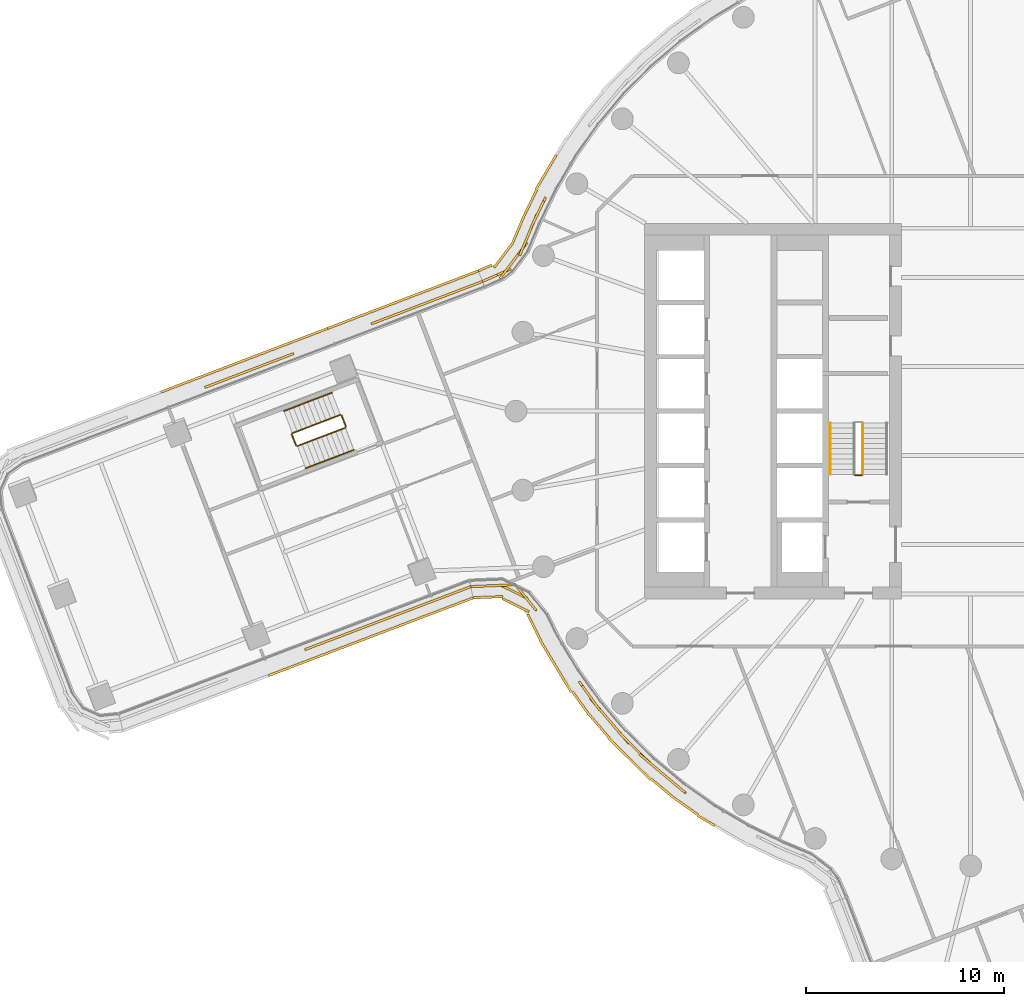
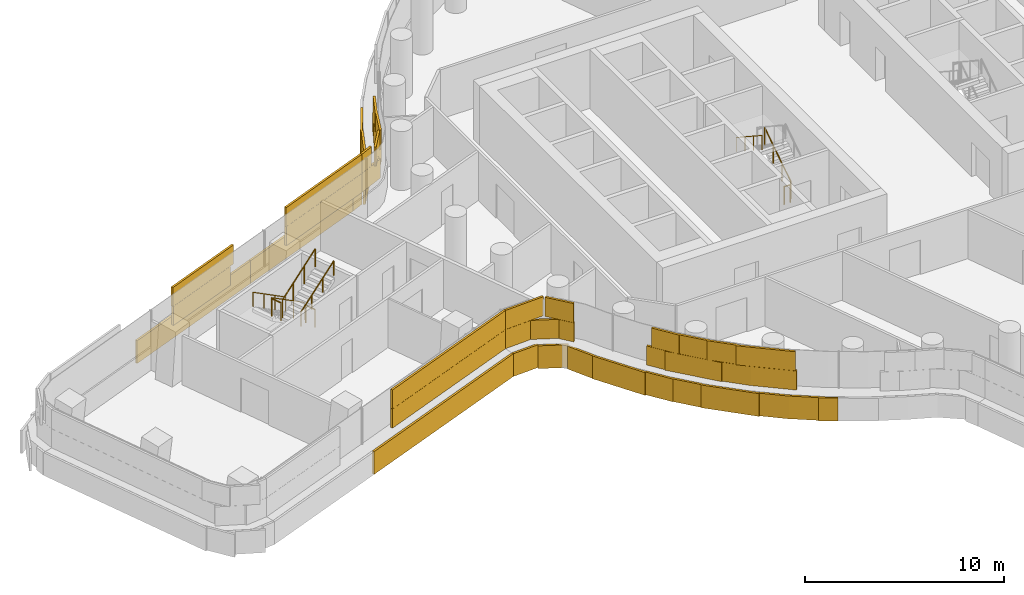
# One storey, part 28 of 32: 9 railings, 5 coverings.
"""IFC4 building model written with IfcOpenShell, lengths in metres."""

from ifc_helpers import new_model, si_unit, direction, frame, origin, origin_2d, place, context, subcontext, project, spatial, rectangle, circle, extrude, material, layer, layer_set, type_object, element, save


model = new_model("IFC4")

# Units and contexts
model_context = context("Model", 3, precision=1e-05, world=origin(), true_north=direction((0.0, 1.0)))
body_context = subcontext(model_context, "Body", "Model", "MODEL_VIEW")
ifc_project = project(units=[si_unit("LENGTHUNIT", "METRE"), si_unit("AREAUNIT", "SQUARE_METRE"), si_unit("VOLUMEUNIT", "CUBIC_METRE"), si_unit("PLANEANGLEUNIT", "RADIAN"), si_unit("MASSUNIT", "GRAM", prefix="KILO")], contexts=[model_context])

# Site, building, storey
site_placement = place(None, origin())
site = spatial("IfcSite", under=ifc_project, at=site_placement, CompositionType="ELEMENT")
building_placement = place(site_placement, origin())
building = spatial("IfcBuilding", under=site, at=building_placement, Name="Tamarind Cross Interchange Tower", CompositionType="ELEMENT")
storey_placement = place(building_placement, frame((0.0, 0.0, 109.75)))
storey = spatial("IfcBuildingStorey", under=building, at=storey_placement, Name="L26", CompositionType="ELEMENT", Elevation=109.75)

# Railings
ifc_material_1 = material(Name="Stair guard")
railing_type_1 = type_object("IfcRailingType", Name="Stair guard", PredefinedType="GUARDRAIL", material=ifc_material_1)
railing_1_placement = place(storey_placement, frame((-5.449951171875, -3.199951171875, 0.17041015625)))
element("IfcRailing", 1, at=railing_1_placement, inside=storey, type_object=railing_type_1, Name="L26 ST1 stair guard 1", PredefinedType="GUARDRAIL", context=body_context, shape_type="SweptSolid", body=[
    extrude(circle(Radius=0.02392578125, at=origin_2d()), frame((0.0, 0.0, 1.076171875), z_axis=(0.0, 0.836278606002, 0.548304744775), x_axis=(-1.0, 0.0, 0.0)), (0.0, 0.0, 1.0), 3.10888671875),
    extrude(circle(Radius=0.02099609375, at=origin_2d()), origin(), (0.0, 0.0, 1.0), 1.052001953125),
    extrude(circle(Radius=0.02099609375, at=origin_2d()), frame((0.0, 0.86669921875, 0.568115234375)), (0.0, 0.0, 1.0), 1.052001953125),
    extrude(circle(Radius=0.02099609375, at=origin_2d()), frame((0.0, 1.733154296875, 1.136474609375)), (0.0, 0.0, 1.0), 1.052001953125),
    extrude(circle(Radius=0.02099609375, at=origin_2d()), frame((0.0, 2.599853515625, 1.70458984375)), (0.0, 0.0, 1.0), 1.052001953125),
])
railing_2_placement = place(storey_placement, frame((-5.5, -3.25, 0.0)))
element("IfcRailing", 2, at=railing_2_placement, inside=storey, type_object=railing_type_1, Name="L26 ST1 stair guard 4", PredefinedType="GUARDRAIL", context=body_context, shape_type="SweptSolid", body=[
    extrude(circle(Radius=0.02392578125, at=origin_2d()), frame((0.0, 0.0, 1.076171875), z_axis=(-1.0, 0.0, 0.0), x_axis=(0.0, -1.0, 0.0)), (0.0, 0.0, 1.0), 0.35009765625),
    extrude(circle(Radius=0.02099609375, at=origin_2d()), origin(), (0.0, 0.0, 1.0), 1.052001953125),
    extrude(circle(Radius=0.02099609375, at=origin_2d()), frame((-0.35009765625, 0.0, 0.0)), (0.0, 0.0, 1.0), 1.052001953125),
])
railing_3_placement = place(storey_placement, frame((-31.88330078125, -0.1875, 0.17041015625)))
element("IfcRailing", 3, at=railing_3_placement, inside=storey, type_object=railing_type_1, Name="L26 ST5 stair guard 1", PredefinedType="GUARDRAIL", context=body_context, shape_type="SweptSolid", body=[
    extrude(circle(Radius=0.02392578125, at=origin_2d()), frame((0.0, 0.0, 1.076171875), z_axis=(-0.781291829036, -0.298255740947, 0.548294255737), x_axis=(0.356643451308, -0.934240573214, 0.0)), (0.0, 0.0, 1.0), 3.10888671875),
    extrude(circle(Radius=0.02099609375, at=origin_2d()), origin(), (0.0, 0.0, 1.0), 1.052001953125),
    extrude(circle(Radius=0.02099609375, at=origin_2d()), frame((-0.8095703125, -0.30908203125, 0.568115234375)), (0.0, 0.0, 1.0), 1.052001953125),
    extrude(circle(Radius=0.02099609375, at=origin_2d()), frame((-1.619384765625, -0.6181640625, 1.136474609375)), (0.0, 0.0, 1.0), 1.052001953125),
    extrude(circle(Radius=0.02099609375, at=origin_2d()), frame((-2.428955078125, -0.92724609375, 1.70458984375)), (0.0, 0.0, 1.0), 1.052001953125),
])
railing_4_placement = place(storey_placement, frame((-34.341064453125, -1.17919921875, 1.875)))
element("IfcRailing", 4, at=railing_4_placement, inside=storey, type_object=railing_type_1, Name="L26 ST5 stair guard 2", PredefinedType="GUARDRAIL", context=body_context, shape_type="SweptSolid", body=[
    extrude(circle(Radius=0.02392578125, at=origin_2d()), frame((0.0, 0.0, 1.076171875), z_axis=(0.356824233719, -0.934171540045, 0.0), x_axis=(0.934171540045, 0.356824233719, 0.0)), (0.0, 0.0, 1.0), 0.60009765625),
    extrude(circle(Radius=0.02099609375, at=origin_2d()), origin(), (0.0, 0.0, 1.0), 1.052001953125),
    extrude(circle(Radius=0.02099609375, at=origin_2d()), frame((0.214111328125, -0.560546875, 0.0)), (0.0, 0.0, 1.0), 1.052001953125),
])
railing_5_placement = place(storey_placement, frame((-34.0625, -1.768798828125, 2.04541015625)))
element("IfcRailing", 5, at=railing_5_placement, inside=storey, type_object=railing_type_1, Name="L26 ST5 stair guard 3", PredefinedType="GUARDRAIL", context=body_context, shape_type="SweptSolid", body=[
    extrude(circle(Radius=0.02392578125, at=origin_2d()), frame((0.0, 0.0, 1.076171875), z_axis=(0.781273527908, 0.298327282392, 0.548281412388), x_axis=(-0.356725406208, 0.934209283065, 0.0)), (0.0, 0.0, 1.0), 3.10888671875),
    extrude(circle(Radius=0.02099609375, at=origin_2d()), origin(), (0.0, 0.0, 1.0), 1.052001953125),
    extrude(circle(Radius=0.02099609375, at=origin_2d()), frame((0.8095703125, 0.30908203125, 0.568115234375)), (0.0, 0.0, 1.0), 1.052001953125),
    extrude(circle(Radius=0.02099609375, at=origin_2d()), frame((1.619384765625, 0.618408203125, 1.136474609375)), (0.0, 0.0, 1.0), 1.052001953125),
    extrude(circle(Radius=0.02099609375, at=origin_2d()), frame((2.428955078125, 0.927490234375, 1.70458984375)), (0.0, 0.0, 1.0), 1.052001953125),
])
railing_6_placement = place(storey_placement, frame((-31.818603515625, -0.21630859375, 0.0)))
element("IfcRailing", 6, at=railing_6_placement, inside=storey, type_object=railing_type_1, Name="L26 ST5 stair guard 4", PredefinedType="GUARDRAIL", context=body_context, shape_type="SweptSolid", body=[
    extrude(circle(Radius=0.02392578125, at=origin_2d()), frame((0.0, 0.0, 1.076171875), z_axis=(0.356469091286, -0.934307115973, 0.0), x_axis=(0.934307115973, 0.356469091286, 0.0)), (0.0, 0.0, 1.0), 0.599853515625),
    extrude(circle(Radius=0.02099609375, at=origin_2d()), origin(), (0.0, 0.0, 1.0), 1.052001953125),
    extrude(circle(Radius=0.02099609375, at=origin_2d()), frame((0.2138671875, -0.560546875, 0.0)), (0.0, 0.0, 1.0), 1.052001953125),
])
ifc_material_2 = material(Name="Stair handrail")
railing_type_2 = type_object("IfcRailingType", Name="Stair handrail", PredefinedType="HANDRAIL", material=ifc_material_2)
railing_7_placement = place(storey_placement, frame((-7.10009765625, -0.60009765625, 2.04541015625)))
element("IfcRailing", 7, at=railing_7_placement, inside=storey, type_object=railing_type_2, Name="L26 ST1 stair handrail 2", PredefinedType="HANDRAIL", context=body_context, shape_type="SweptSolid", body=[
    extrude(circle(Radius=0.02392578125, at=origin_2d()), frame((0.0, 0.0, 0.8759765625), z_axis=(0.0, -0.836278606002, 0.548304744775), x_axis=(1.0, 0.0, 0.0)), (0.0, 0.0, 1.0), 3.10888671875),
    extrude(circle(Radius=0.02099609375, at=origin_2d()), origin(), (0.0, 0.0, 1.0), 0.851806640625),
    extrude(circle(Radius=0.02099609375, at=origin_2d()), frame((0.0, -0.86669921875, 0.568115234375)), (0.0, 0.0, 1.0), 0.851806640625),
    extrude(circle(Radius=0.02099609375, at=origin_2d()), frame((0.0, -1.733154296875, 1.136474609375)), (0.0, 0.0, 1.0), 0.851806640625),
    extrude(circle(Radius=0.02099609375, at=origin_2d()), frame((0.0, -2.599853515625, 1.70458984375)), (0.0, 0.0, 1.0), 0.851806640625),
])
railing_8_placement = place(storey_placement, frame((-32.311279296875, 0.93359375, 0.17041015625)))
element("IfcRailing", 8, at=railing_8_placement, inside=storey, type_object=railing_type_2, Name="L26 ST5 stair handrail 1", PredefinedType="HANDRAIL", context=body_context, shape_type="SweptSolid", body=[
    extrude(circle(Radius=0.02392578125, at=origin_2d()), frame((0.0, 0.0, 0.8759765625), z_axis=(-0.781291829036, -0.298255740947, 0.548294255737), x_axis=(0.356643451308, -0.934240573214, 0.0)), (0.0, 0.0, 1.0), 3.10888671875),
    extrude(circle(Radius=0.02099609375, at=origin_2d()), origin(), (0.0, 0.0, 1.0), 0.851806640625),
    extrude(circle(Radius=0.02099609375, at=origin_2d()), frame((-0.8095703125, -0.30908203125, 0.568115234375)), (0.0, 0.0, 1.0), 0.851806640625),
    extrude(circle(Radius=0.02099609375, at=origin_2d()), frame((-1.619384765625, -0.6181640625, 1.136474609375)), (0.0, 0.0, 1.0), 0.851806640625),
    extrude(circle(Radius=0.02099609375, at=origin_2d()), frame((-2.428955078125, -0.92724609375, 1.70458984375)), (0.0, 0.0, 1.0), 0.851806640625),
])
railing_9_placement = place(storey_placement, frame((-33.634521484375, -2.889892578125, 2.04541015625)))
element("IfcRailing", 9, at=railing_9_placement, inside=storey, type_object=railing_type_2, Name="L26 ST5 stair handrail 2", PredefinedType="HANDRAIL", context=body_context, shape_type="SweptSolid", body=[
    extrude(circle(Radius=0.02392578125, at=origin_2d()), frame((0.0, 0.0, 0.8759765625), z_axis=(0.781273527908, 0.298327282392, 0.548281412388), x_axis=(-0.356725406208, 0.934209283065, 0.0)), (0.0, 0.0, 1.0), 3.10888671875),
    extrude(circle(Radius=0.02099609375, at=origin_2d()), origin(), (0.0, 0.0, 1.0), 0.851806640625),
    extrude(circle(Radius=0.02099609375, at=origin_2d()), frame((0.8095703125, 0.30908203125, 0.568115234375)), (0.0, 0.0, 1.0), 0.851806640625),
    extrude(circle(Radius=0.02099609375, at=origin_2d()), frame((1.619384765625, 0.618408203125, 1.136474609375)), (0.0, 0.0, 1.0), 0.851806640625),
    extrude(circle(Radius=0.02099609375, at=origin_2d()), frame((2.428955078125, 0.927490234375, 1.70458984375)), (0.0, 0.0, 1.0), 0.851806640625),
])

# Coverings
ifc_material_3 = material(Name="Terracotta", Category="masonry")
ifc_layer = layer(ifc_material_3, 0.1201171875)
ifc_layer_set = layer_set([ifc_layer], Name="Terracotta")
covering_type = type_object("IfcCoveringType", Name="Terracotta baguette screen unit", PredefinedType="MOLDING", material=ifc_layer_set)
covering_1_placement = place(storey_placement, origin())
element("IfcCovering", 10, at=covering_1_placement, inside=storey, type_object=covering_type, Name="SCR-L26-01-01", PredefinedType="MOLDING", context=body_context, shape_type="SweptSolid", body=[
    extrude(rectangle(XDim=0.519287109375, YDim=0.1201171875, at=origin_2d()), frame((-33.43994140625, -11.97412109375, 1.404052734375), z_axis=(0.0, 0.0, 1.0), x_axis=(0.934795735228, 0.355185773082, 0.0)), (0.0, 0.0, 1.0), 1.1669921875),
    extrude(rectangle(XDim=1.52001953125, YDim=0.1201171875, at=origin_2d()), frame((-32.500732421875, -11.617431640625, 1.404052734375), z_axis=(0.0, 0.0, 1.0), x_axis=(0.934795735228, 0.355185773082, 0.0)), (0.0, 0.0, 1.0), 1.1669921875),
    extrude(rectangle(XDim=1.52001953125, YDim=0.1201171875, at=origin_2d()), frame((-31.0986328125, -11.08447265625, 1.404052734375), z_axis=(0.0, 0.0, 1.0), x_axis=(0.934795735228, 0.355185773082, 0.0)), (0.0, 0.0, 1.0), 1.1669921875),
    extrude(rectangle(XDim=1.52001953125, YDim=0.1201171875, at=origin_2d()), frame((-29.696533203125, -10.5517578125, 1.404052734375), z_axis=(0.0, 0.0, 1.0), x_axis=(0.934795735228, 0.355185773082, 0.0)), (0.0, 0.0, 1.0), 1.1669921875),
    extrude(rectangle(XDim=1.52001953125, YDim=0.1201171875, at=origin_2d()), frame((-28.294189453125, -10.01904296875, 1.404052734375), z_axis=(0.0, 0.0, 1.0), x_axis=(0.934795735228, 0.355185773082, 0.0)), (0.0, 0.0, 1.0), 1.1669921875),
    extrude(rectangle(XDim=1.52001953125, YDim=0.1201171875, at=origin_2d()), frame((-26.89208984375, -9.486083984375, 1.404052734375), z_axis=(0.0, 0.0, 1.0), x_axis=(0.934795735228, 0.355185773082, 0.0)), (0.0, 0.0, 1.0), 1.1669921875),
    extrude(rectangle(XDim=0.97705078125, YDim=0.1201171875, at=origin_2d()), frame((-25.739013671875, -9.048095703125, 1.404052734375), z_axis=(0.0, 0.0, 1.0), x_axis=(0.934795735228, 0.355185773082, 0.0)), (0.0, 0.0, 1.0), 1.1669921875),
    extrude(rectangle(XDim=1.269287109375, YDim=0.1201171875, at=origin_2d()), frame((-33.08935546875, -11.841064453125, 2.5791015625), z_axis=(0.0, 0.0, 1.0), x_axis=(0.934795735228, 0.355185773082, 0.0)), (0.0, 0.0, 1.0), 1.1669921875),
    extrude(rectangle(XDim=1.52001953125, YDim=0.1201171875, at=origin_2d()), frame((-31.7998046875, -11.350830078125, 2.5791015625), z_axis=(0.0, 0.0, 1.0), x_axis=(0.934795735228, 0.355185773082, 0.0)), (0.0, 0.0, 1.0), 1.1669921875),
    extrude(rectangle(XDim=1.52001953125, YDim=0.1201171875, at=origin_2d()), frame((-30.3974609375, -10.818115234375, 2.5791015625), z_axis=(0.0, 0.0, 1.0), x_axis=(0.934795735228, 0.355185773082, 0.0)), (0.0, 0.0, 1.0), 1.1669921875),
    extrude(rectangle(XDim=1.52001953125, YDim=0.1201171875, at=origin_2d()), frame((-28.995361328125, -10.285400390625, 2.5791015625), z_axis=(0.0, 0.0, 1.0), x_axis=(0.934795735228, 0.355185773082, 0.0)), (0.0, 0.0, 1.0), 1.1669921875),
    extrude(rectangle(XDim=1.52001953125, YDim=0.1201171875, at=origin_2d()), frame((-27.59326171875, -9.752685546875, 2.5791015625), z_axis=(0.0, 0.0, 1.0), x_axis=(0.934795735228, 0.355185773082, 0.0)), (0.0, 0.0, 1.0), 1.1669921875),
    extrude(rectangle(XDim=1.52001953125, YDim=0.1201171875, at=origin_2d()), frame((-26.19091796875, -9.2197265625, 2.5791015625), z_axis=(0.0, 0.0, 1.0), x_axis=(0.934795735228, 0.355185773082, 0.0)), (0.0, 0.0, 1.0), 1.1669921875),
    extrude(rectangle(XDim=0.22705078125, YDim=0.1201171875, at=origin_2d()), frame((-25.388427734375, -8.914794921875, 2.5791015625), z_axis=(0.0, 0.0, 1.0), x_axis=(0.934795735228, 0.355185773082, 0.0)), (0.0, 0.0, 1.0), 1.1669921875),
    extrude(rectangle(XDim=1.126708984375, YDim=0.1201171875, at=origin_2d()), frame((-34.98779296875, -13.17626953125, 0.00390625), z_axis=(0.0, 0.0, 1.0), x_axis=(0.934795735228, 0.355185773082, 0.0)), (0.0, 0.0, 1.0), 1.39208984375),
    extrude(rectangle(XDim=1.52001953125, YDim=0.1201171875, at=origin_2d()), frame((-33.769287109375, -12.71337890625, 0.00390625), z_axis=(0.0, 0.0, 1.0), x_axis=(0.934795735228, 0.355185773082, 0.0)), (0.0, 0.0, 1.0), 1.39208984375),
    extrude(rectangle(XDim=1.52001953125, YDim=0.1201171875, at=origin_2d()), frame((-32.3671875, -12.1806640625, 0.00390625), z_axis=(0.0, 0.0, 1.0), x_axis=(0.934795735228, 0.355185773082, 0.0)), (0.0, 0.0, 1.0), 1.39208984375),
    extrude(rectangle(XDim=1.52001953125, YDim=0.1201171875, at=origin_2d()), frame((-30.96484375, -11.647705078125, 0.00390625), z_axis=(0.0, 0.0, 1.0), x_axis=(0.934795735228, 0.355185773082, 0.0)), (0.0, 0.0, 1.0), 1.39208984375),
    extrude(rectangle(XDim=1.52001953125, YDim=0.1201171875, at=origin_2d()), frame((-29.562744140625, -11.114990234375, 0.00390625), z_axis=(0.0, 0.0, 1.0), x_axis=(0.934795735228, 0.355185773082, 0.0)), (0.0, 0.0, 1.0), 1.39208984375),
    extrude(rectangle(XDim=1.52001953125, YDim=0.1201171875, at=origin_2d()), frame((-28.16064453125, -10.582275390625, 0.00390625), z_axis=(0.0, 0.0, 1.0), x_axis=(0.934795735228, 0.355185773082, 0.0)), (0.0, 0.0, 1.0), 1.39208984375),
    extrude(rectangle(XDim=1.52001953125, YDim=0.1201171875, at=origin_2d()), frame((-26.75830078125, -10.049560546875, 0.00390625), z_axis=(0.0, 0.0, 1.0), x_axis=(0.934795735228, 0.355185773082, 0.0)), (0.0, 0.0, 1.0), 1.39208984375),
    extrude(rectangle(XDim=0.95947265625, YDim=0.1201171875, at=origin_2d()), frame((-25.6181640625, -9.6162109375, 0.00390625), z_axis=(0.0, 0.0, 1.0), x_axis=(0.934795735228, 0.355185773082, 0.0)), (0.0, 0.0, 1.0), 1.39208984375),
])
covering_2_placement = place(storey_placement, origin())
element("IfcCovering", 11, at=covering_2_placement, inside=storey, type_object=covering_type, Name="SCR-L26-02-00", PredefinedType="MOLDING", context=body_context, shape_type="SweptSolid", body=[
    extrude(rectangle(XDim=1.510009765625, YDim=0.1201171875, at=origin_2d()), frame((-24.53759765625, -8.84423828125, 1.404052734375), z_axis=(0.0, 0.0, 1.0), x_axis=(0.99908676229, 0.042727525273, 0.0)), (0.0, 0.0, 1.0), 1.1669921875),
    extrude(rectangle(XDim=1.52001953125, YDim=0.1201171875, at=origin_2d()), frame((-23.112548828125, -9.130126953125, 1.404052734375), z_axis=(0.0, 0.0, 1.0), x_axis=(0.89722743465, -0.441568715504, 0.0)), (0.0, 0.0, 1.0), 1.1669921875),
    extrude(rectangle(XDim=0.787109375, YDim=0.1201171875, at=origin_2d()), frame((-22.215576171875, -9.78857421875, 1.404052734375), z_axis=(0.0, 0.0, 1.0), x_axis=(0.62796858047, -0.778238692139, 0.0)), (0.0, 0.0, 1.0), 1.1669921875),
    extrude(rectangle(XDim=1.032958984375, YDim=0.1201171875, at=origin_2d()), frame((-19.50732421875, -14.093017578125, 1.404052734375), z_axis=(0.0, 0.0, 1.0), x_axis=(0.584573890505, -0.811340475102, 0.0)), (0.0, 0.0, 1.0), 1.1669921875),
    extrude(rectangle(XDim=1.52001953125, YDim=0.1201171875, at=origin_2d()), frame((-18.75048828125, -15.101318359375, 1.404052734375), z_axis=(0.0, 0.0, 1.0), x_axis=(0.64957723968, -0.760295606781, 0.0)), (0.0, 0.0, 1.0), 1.1669921875),
    extrude(rectangle(XDim=1.52001953125, YDim=0.1201171875, at=origin_2d()), frame((-17.776123046875, -16.24169921875, 1.404052734375), z_axis=(0.0, 0.0, 1.0), x_axis=(0.64957723968, -0.760295606781, 0.0)), (0.0, 0.0, 1.0), 1.1669921875),
    extrude(rectangle(XDim=1.52001953125, YDim=0.1201171875, at=origin_2d()), frame((-16.72265625, -17.308837890625, 1.404052734375), z_axis=(0.0, 0.0, 1.0), x_axis=(0.710143317658, -0.704057148523, 0.0)), (0.0, 0.0, 1.0), 1.1669921875),
    extrude(rectangle(XDim=1.52001953125, YDim=0.1201171875, at=origin_2d()), frame((-15.612060546875, -18.31494140625, 1.404052734375), z_axis=(0.0, 0.0, 1.0), x_axis=(0.765858396687, -0.643009266048, 0.0)), (0.0, 0.0, 1.0), 1.1669921875),
    extrude(rectangle(XDim=0.8310546875, YDim=0.1201171875, at=origin_2d()), frame((-14.723388671875, -19.061279296875, 1.404052734375), z_axis=(0.0, 0.0, 1.0), x_axis=(0.765858396687, -0.643009266048, 0.0)), (0.0, 0.0, 1.0), 1.1669921875),
    extrude(rectangle(XDim=0.760009765625, YDim=0.1201171875, at=origin_2d()), frame((-24.912353515625, -8.8603515625, 2.5791015625), z_axis=(0.0, 0.0, 1.0), x_axis=(0.99908676229, 0.042727525273, 0.0)), (0.0, 0.0, 1.0), 1.1669921875),
    extrude(rectangle(XDim=1.52001953125, YDim=0.1201171875, at=origin_2d()), frame((-23.788330078125, -8.812255859375, 2.5791015625), z_axis=(0.0, 0.0, 1.0), x_axis=(0.99908676229, 0.042727525273, 0.0)), (0.0, 0.0, 1.0), 1.1669921875),
    extrude(rectangle(XDim=1.52001953125, YDim=0.1201171875, at=origin_2d()), frame((-22.459716796875, -9.486083984375, 2.5791015625), z_axis=(0.0, 0.0, 1.0), x_axis=(0.62796858047, -0.778238692139, 0.0)), (0.0, 0.0, 1.0), 1.1669921875),
    extrude(rectangle(XDim=1.52001953125, YDim=0.1201171875, at=origin_2d()), frame((-19.208251953125, -14.508056640625, 2.5791015625), z_axis=(0.0, 0.0, 1.0), x_axis=(0.584573890505, -0.811340475102, 0.0)), (0.0, 0.0, 1.0), 1.1669921875),
    extrude(rectangle(XDim=1.52001953125, YDim=0.1201171875, at=origin_2d()), frame((-18.263427734375, -15.671630859375, 2.5791015625), z_axis=(0.0, 0.0, 1.0), x_axis=(0.64957723968, -0.760295606781, 0.0)), (0.0, 0.0, 1.0), 1.1669921875),
    extrude(rectangle(XDim=1.52001953125, YDim=0.1201171875, at=origin_2d()), frame((-17.25537109375, -16.78076171875, 2.5791015625), z_axis=(0.0, 0.0, 1.0), x_axis=(0.710143317658, -0.704057148523, 0.0)), (0.0, 0.0, 1.0), 1.1669921875),
    extrude(rectangle(XDim=1.52001953125, YDim=0.1201171875, at=origin_2d()), frame((-16.1865234375, -17.832763671875, 2.5791015625), z_axis=(0.0, 0.0, 1.0), x_axis=(0.765858396687, -0.643009266048, 0.0)), (0.0, 0.0, 1.0), 1.1669921875),
    extrude(rectangle(XDim=1.52001953125, YDim=0.1201171875, at=origin_2d()), frame((-15.03759765625, -18.79736328125, 2.5791015625), z_axis=(0.0, 0.0, 1.0), x_axis=(0.765858396687, -0.643009266048, 0.0)), (0.0, 0.0, 1.0), 1.1669921875),
    extrude(rectangle(XDim=1.510009765625, YDim=0.1201171875, at=origin_2d()), frame((-24.415283203125, -9.41357421875, 0.00390625), z_axis=(0.0, 0.0, 1.0), x_axis=(0.99908676229, 0.042727525273, 0.0)), (0.0, 0.0, 1.0), 1.39208984375),
    extrude(rectangle(XDim=1.52001953125, YDim=0.1201171875, at=origin_2d()), frame((-23.019775390625, -9.8154296875, 0.00390625), z_axis=(0.0, 0.0, 1.0), x_axis=(0.89722743465, -0.441568715504, 0.0)), (0.0, 0.0, 1.0), 1.39208984375),
    extrude(rectangle(XDim=1.52001953125, YDim=0.1201171875, at=origin_2d()), frame((-22.07373046875, -10.953369140625, 0.00390625), z_axis=(0.0, 0.0, 1.0), x_axis=(0.445349819005, -0.895356654475, 0.0)), (0.0, 0.0, 1.0), 1.39208984375),
    extrude(rectangle(XDim=1.52001953125, YDim=0.1201171875, at=origin_2d()), frame((-21.369140625, -12.2763671875, 0.00390625), z_axis=(0.0, 0.0, 1.0), x_axis=(0.515577308909, -0.856843065292, 0.0)), (0.0, 0.0, 1.0), 1.39208984375),
    extrude(rectangle(XDim=1.52001953125, YDim=0.1201171875, at=origin_2d()), frame((-20.595703125, -13.561767578125, 0.00390625), z_axis=(0.0, 0.0, 1.0), x_axis=(0.515577308909, -0.856843065292, 0.0)), (0.0, 0.0, 1.0), 1.39208984375),
    extrude(rectangle(XDim=1.52001953125, YDim=0.1201171875, at=origin_2d()), frame((-19.72021484375, -14.779541015625, 0.00390625), z_axis=(0.0, 0.0, 1.0), x_axis=(0.584573890505, -0.811340475102, 0.0)), (0.0, 0.0, 1.0), 1.39208984375),
    extrude(rectangle(XDim=1.52001953125, YDim=0.1201171875, at=origin_2d()), frame((-18.781982421875, -15.9482421875, 0.00390625), z_axis=(0.0, 0.0, 1.0), x_axis=(0.64957723968, -0.760295606781, 0.0)), (0.0, 0.0, 1.0), 1.39208984375),
    extrude(rectangle(XDim=1.52001953125, YDim=0.1201171875, at=origin_2d()), frame((-17.782958984375, -17.06591796875, 0.00390625), z_axis=(0.0, 0.0, 1.0), x_axis=(0.710143317658, -0.704057148523, 0.0)), (0.0, 0.0, 1.0), 1.39208984375),
    extrude(rectangle(XDim=1.52001953125, YDim=0.1201171875, at=origin_2d()), frame((-16.7177734375, -18.1220703125, 0.00390625), z_axis=(0.0, 0.0, 1.0), x_axis=(0.710143317658, -0.704057148523, 0.0)), (0.0, 0.0, 1.0), 1.39208984375),
    extrude(rectangle(XDim=1.52001953125, YDim=0.1201171875, at=origin_2d()), frame((-15.576171875, -19.094482421875, 0.00390625), z_axis=(0.0, 0.0, 1.0), x_axis=(0.765858396687, -0.643009266048, 0.0)), (0.0, 0.0, 1.0), 1.39208984375),
    extrude(rectangle(XDim=1.52001953125, YDim=0.1201171875, at=origin_2d()), frame((-14.385498046875, -20.0048828125, 0.00390625), z_axis=(0.0, 0.0, 1.0), x_axis=(0.816341886298, -0.577568978284, 0.0)), (0.0, 0.0, 1.0), 1.39208984375),
    extrude(rectangle(XDim=0.985595703125, YDim=0.1201171875, at=origin_2d()), frame((-13.378173828125, -20.715087890625, 0.00390625), z_axis=(0.0, 0.0, 1.0), x_axis=(0.861248933065, -0.508183308752, 0.0)), (0.0, 0.0, 1.0), 1.39208984375),
])
covering_3_placement = place(storey_placement, origin())
element("IfcCovering", 12, at=covering_3_placement, inside=storey, type_object=covering_type, Name="SCR-L26-14-01", PredefinedType="MOLDING", context=body_context, shape_type="SweptSolid", body=[
    extrude(rectangle(XDim=0.989013671875, YDim=0.1201171875, at=origin_2d()), frame((-21.712646484375, 10.378662109375, 1.404052734375), z_axis=(0.0, 0.0, 1.0), x_axis=(-0.435326231914, -0.900272776334, 0.0)), (0.0, 0.0, 1.0), 1.1669921875),
    extrude(rectangle(XDim=1.52001953125, YDim=0.1201171875, at=origin_2d()), frame((-22.235107421875, 9.2548828125, 1.404052734375), z_axis=(0.0, 0.0, 1.0), x_axis=(-0.386586658408, -0.92225308649, 0.0)), (0.0, 0.0, 1.0), 1.1669921875),
    extrude(rectangle(XDim=1.52001953125, YDim=0.1201171875, at=origin_2d()), frame((-22.89501953125, 7.917724609375, 1.404052734375), z_axis=(0.0, 0.0, 1.0), x_axis=(-0.601994011813, -0.798500600965, 0.0)), (0.0, 0.0, 1.0), 1.1669921875),
    extrude(rectangle(XDim=1.52001953125, YDim=0.1201171875, at=origin_2d()), frame((-23.95166015625, 6.8876953125, 1.404052734375), z_axis=(0.0, 0.0, 1.0), x_axis=(-0.915016944309, -0.403415408267, 0.0)), (0.0, 0.0, 1.0), 1.1669921875),
    extrude(rectangle(XDim=0.068359375, YDim=0.1201171875, at=origin_2d()), frame((-24.664794921875, 6.573486328125, 1.404052734375), z_axis=(0.0, 0.0, 1.0), x_axis=(-0.915016944309, -0.403415408267, 0.0)), (0.0, 0.0, 1.0), 1.1669921875),
    extrude(rectangle(XDim=1.52001953125, YDim=0.1201171875, at=origin_2d()), frame((-21.92578125, 9.93798828125, 2.5791015625), z_axis=(0.0, 0.0, 1.0), x_axis=(-0.435326231914, -0.900272776334, 0.0)), (0.0, 0.0, 1.0), 1.1669921875),
    extrude(rectangle(XDim=1.52001953125, YDim=0.1201171875, at=origin_2d()), frame((-22.52490234375, 8.563232421875, 2.5791015625), z_axis=(0.0, 0.0, 1.0), x_axis=(-0.386586658408, -0.92225308649, 0.0)), (0.0, 0.0, 1.0), 1.1669921875),
    extrude(rectangle(XDim=1.52001953125, YDim=0.1201171875, at=origin_2d()), frame((-23.346435546875, 7.31884765625, 2.5791015625), z_axis=(0.0, 0.0, 1.0), x_axis=(-0.601994011813, -0.798500600965, 0.0)), (0.0, 0.0, 1.0), 1.1669921875),
    extrude(rectangle(XDim=0.818359375, YDim=0.1201171875, at=origin_2d()), frame((-24.321533203125, 6.724609375, 2.5791015625), z_axis=(0.0, 0.0, 1.0), x_axis=(-0.915016944309, -0.403415408267, 0.0)), (0.0, 0.0, 1.0), 1.1669921875),
    extrude(rectangle(XDim=0.534423828125, YDim=0.1201171875, at=origin_2d()), frame((-21.101318359375, 12.7236328125, 0.00390625), z_axis=(0.0, 0.0, 1.0), x_axis=(-0.508183308752, -0.861248933065, 0.0)), (0.0, 0.0, 1.0), 1.39208984375),
    extrude(rectangle(XDim=1.52001953125, YDim=0.1201171875, at=origin_2d()), frame((-21.61328125, 11.856201171875, 0.00390625), z_axis=(0.0, 0.0, 1.0), x_axis=(-0.508183308752, -0.861248933065, 0.0)), (0.0, 0.0, 1.0), 1.39208984375),
    extrude(rectangle(XDim=1.52001953125, YDim=0.1201171875, at=origin_2d()), frame((-22.2841796875, 10.515380859375, 0.00390625), z_axis=(0.0, 0.0, 1.0), x_axis=(-0.435326231914, -0.900272776334, 0.0)), (0.0, 0.0, 1.0), 1.39208984375),
    extrude(rectangle(XDim=1.52001953125, YDim=0.1201171875, at=origin_2d()), frame((-22.90185546875, 9.14892578125, 0.00390625), z_axis=(0.0, 0.0, 1.0), x_axis=(-0.386586658408, -0.92225308649, 0.0)), (0.0, 0.0, 1.0), 1.39208984375),
    extrude(rectangle(XDim=1.52001953125, YDim=0.1201171875, at=origin_2d()), frame((-23.65380859375, 7.864501953125, 0.00390625), z_axis=(0.0, 0.0, 1.0), x_axis=(-0.601994011813, -0.798500600965, 0.0)), (0.0, 0.0, 1.0), 1.39208984375),
    extrude(rectangle(XDim=0.760498046875, YDim=0.1201171875, at=origin_2d()), frame((-24.561767578125, 7.24609375, 0.00390625), z_axis=(0.0, 0.0, 1.0), x_axis=(-0.915016944309, -0.403415408267, 0.0)), (0.0, 0.0, 1.0), 1.39208984375),
])
covering_4_placement = place(storey_placement, origin())
element("IfcCovering", 13, at=covering_4_placement, inside=storey, type_object=covering_type, Name="SCR-L26-15-00", PredefinedType="MOLDING", context=body_context, shape_type="SweptSolid", body=[
    extrude(rectangle(XDim=1.510009765625, YDim=0.1201171875, at=origin_2d()), frame((-25.39208984375, 6.294189453125, 1.404052734375), z_axis=(0.0, 0.0, 1.0), x_axis=(-0.934229377055, -0.356672778674, 0.0)), (0.0, 0.0, 1.0), 1.1669921875),
    extrude(rectangle(XDim=1.52001953125, YDim=0.1201171875, at=origin_2d()), frame((-26.79345703125, 5.759033203125, 1.404052734375), z_axis=(0.0, 0.0, 1.0), x_axis=(-0.934229377055, -0.356672778674, 0.0)), (0.0, 0.0, 1.0), 1.1669921875),
    extrude(rectangle(XDim=1.52001953125, YDim=0.1201171875, at=origin_2d()), frame((-28.19482421875, 5.22412109375, 1.404052734375), z_axis=(0.0, 0.0, 1.0), x_axis=(-0.934229377055, -0.356672778674, 0.0)), (0.0, 0.0, 1.0), 1.1669921875),
    extrude(rectangle(XDim=1.52001953125, YDim=0.1201171875, at=origin_2d()), frame((-29.59619140625, 4.68896484375, 1.404052734375), z_axis=(0.0, 0.0, 1.0), x_axis=(-0.934229377055, -0.356672778674, 0.0)), (0.0, 0.0, 1.0), 1.1669921875),
    extrude(rectangle(XDim=0.760009765625, YDim=0.1201171875, at=origin_2d()), frame((-25.041748046875, 6.427734375, 2.5791015625), z_axis=(0.0, 0.0, 1.0), x_axis=(-0.934229377055, -0.356672778674, 0.0)), (0.0, 0.0, 1.0), 1.1669921875),
    extrude(rectangle(XDim=1.52001953125, YDim=0.1201171875, at=origin_2d()), frame((-26.0927734375, 6.026611328125, 2.5791015625), z_axis=(0.0, 0.0, 1.0), x_axis=(-0.934229377055, -0.356672778674, 0.0)), (0.0, 0.0, 1.0), 1.1669921875),
    extrude(rectangle(XDim=1.52001953125, YDim=0.1201171875, at=origin_2d()), frame((-27.494140625, 5.49169921875, 2.5791015625), z_axis=(0.0, 0.0, 1.0), x_axis=(-0.934229377055, -0.356672778674, 0.0)), (0.0, 0.0, 1.0), 1.1669921875),
    extrude(rectangle(XDim=1.52001953125, YDim=0.1201171875, at=origin_2d()), frame((-28.8955078125, 4.95654296875, 2.5791015625), z_axis=(0.0, 0.0, 1.0), x_axis=(-0.934229377055, -0.356672778674, 0.0)), (0.0, 0.0, 1.0), 1.1669921875),
    extrude(rectangle(XDim=0.791259765625, YDim=0.1201171875, at=origin_2d()), frame((-29.961181640625, 4.5498046875, 2.5791015625), z_axis=(0.0, 0.0, 1.0), x_axis=(-0.934229377055, -0.356672778674, 0.0)), (0.0, 0.0, 1.0), 1.1669921875),
    extrude(rectangle(XDim=1.510009765625, YDim=0.1201171875, at=origin_2d()), frame((-25.614990234375, 6.823486328125, 0.00390625), z_axis=(0.0, 0.0, 1.0), x_axis=(-0.934229377055, -0.356672778674, 0.0)), (0.0, 0.0, 1.0), 1.39208984375),
    extrude(rectangle(XDim=1.52001953125, YDim=0.1201171875, at=origin_2d()), frame((-27.01171875, 6.2900390625, 0.00390625), z_axis=(0.0, 0.0, 1.0), x_axis=(-0.934229377055, -0.356672778674, 0.0)), (0.0, 0.0, 1.0), 1.39208984375),
    extrude(rectangle(XDim=1.52001953125, YDim=0.1201171875, at=origin_2d()), frame((-28.4130859375, 5.755126953125, 0.00390625), z_axis=(0.0, 0.0, 1.0), x_axis=(-0.934229377055, -0.356672778674, 0.0)), (0.0, 0.0, 1.0), 1.39208984375),
    extrude(rectangle(XDim=1.52001953125, YDim=0.1201171875, at=origin_2d()), frame((-29.814453125, 5.22021484375, 0.00390625), z_axis=(0.0, 0.0, 1.0), x_axis=(-0.934229377055, -0.356672778674, 0.0)), (0.0, 0.0, 1.0), 1.39208984375),
    extrude(rectangle(XDim=1.52001953125, YDim=0.1201171875, at=origin_2d()), frame((-31.2158203125, 4.68505859375, 0.00390625), z_axis=(0.0, 0.0, 1.0), x_axis=(-0.934229377055, -0.356672778674, 0.0)), (0.0, 0.0, 1.0), 1.39208984375),
    extrude(rectangle(XDim=0.6611328125, YDim=0.1201171875, at=origin_2d()), frame((-32.2158203125, 4.30322265625, 0.00390625), z_axis=(0.0, 0.0, 1.0), x_axis=(-0.934229377055, -0.356672778674, 0.0)), (0.0, 0.0, 1.0), 1.39208984375),
])
covering_5_placement = place(storey_placement, origin())
element("IfcCovering", 14, at=covering_5_placement, inside=storey, type_object=covering_type, Name="SCR-L26-15-01", PredefinedType="MOLDING", context=body_context, shape_type="SweptSolid", body=[
    extrude(rectangle(XDim=1.52001953125, YDim=0.1201171875, at=origin_2d()), frame((-35.201416015625, 2.549072265625, 1.404052734375), z_axis=(0.0, 0.0, 1.0), x_axis=(-0.934229377055, -0.356672778674, 0.0)), (0.0, 0.0, 1.0), 1.1669921875),
    extrude(rectangle(XDim=1.52001953125, YDim=0.1201171875, at=origin_2d()), frame((-36.602783203125, 2.013916015625, 1.404052734375), z_axis=(0.0, 0.0, 1.0), x_axis=(-0.934229377055, -0.356672778674, 0.0)), (0.0, 0.0, 1.0), 1.1669921875),
    extrude(rectangle(XDim=1.52001953125, YDim=0.1201171875, at=origin_2d()), frame((-38.004150390625, 1.47900390625, 1.404052734375), z_axis=(0.0, 0.0, 1.0), x_axis=(-0.934229377055, -0.356672778674, 0.0)), (0.0, 0.0, 1.0), 1.1669921875),
    extrude(rectangle(XDim=1.02880859375, YDim=0.1201171875, at=origin_2d()), frame((-34.7255859375, 2.730712890625, 2.5791015625), z_axis=(0.0, 0.0, 1.0), x_axis=(-0.934229377055, -0.356672778674, 0.0)), (0.0, 0.0, 1.0), 1.1669921875),
    extrude(rectangle(XDim=1.52001953125, YDim=0.1201171875, at=origin_2d()), frame((-35.902099609375, 2.281494140625, 2.5791015625), z_axis=(0.0, 0.0, 1.0), x_axis=(-0.934229377055, -0.356672778674, 0.0)), (0.0, 0.0, 1.0), 1.1669921875),
    extrude(rectangle(XDim=1.52001953125, YDim=0.1201171875, at=origin_2d()), frame((-37.303466796875, 1.74658203125, 2.5791015625), z_axis=(0.0, 0.0, 1.0), x_axis=(-0.934229377055, -0.356672778674, 0.0)), (0.0, 0.0, 1.0), 1.1669921875),
    extrude(rectangle(XDim=0.794677734375, YDim=0.1201171875, at=origin_2d()), frame((-38.370849609375, 1.339111328125, 2.5791015625), z_axis=(0.0, 0.0, 1.0), x_axis=(-0.934229377055, -0.356672778674, 0.0)), (0.0, 0.0, 1.0), 1.1669921875),
    extrude(rectangle(XDim=0.85888671875, YDim=0.1201171875, at=origin_2d()), frame((-32.926025390625, 4.0322265625, 0.00390625), z_axis=(0.0, 0.0, 1.0), x_axis=(-0.934229377055, -0.356672778674, 0.0)), (0.0, 0.0, 1.0), 1.39208984375),
    extrude(rectangle(XDim=1.52001953125, YDim=0.1201171875, at=origin_2d()), frame((-34.0185546875, 3.614990234375, 0.00390625), z_axis=(0.0, 0.0, 1.0), x_axis=(-0.934229377055, -0.356672778674, 0.0)), (0.0, 0.0, 1.0), 1.39208984375),
    extrude(rectangle(XDim=1.52001953125, YDim=0.1201171875, at=origin_2d()), frame((-35.419921875, 3.080078125, 0.00390625), z_axis=(0.0, 0.0, 1.0), x_axis=(-0.934229377055, -0.356672778674, 0.0)), (0.0, 0.0, 1.0), 1.39208984375),
    extrude(rectangle(XDim=1.52001953125, YDim=0.1201171875, at=origin_2d()), frame((-36.821044921875, 2.545166015625, 0.00390625), z_axis=(0.0, 0.0, 1.0), x_axis=(-0.934229377055, -0.356672778674, 0.0)), (0.0, 0.0, 1.0), 1.39208984375),
    extrude(rectangle(XDim=1.52001953125, YDim=0.1201171875, at=origin_2d()), frame((-38.222412109375, 2.010009765625, 0.00390625), z_axis=(0.0, 0.0, 1.0), x_axis=(-0.934229377055, -0.356672778674, 0.0)), (0.0, 0.0, 1.0), 1.39208984375),
    extrude(rectangle(XDim=1.52001953125, YDim=0.1201171875, at=origin_2d()), frame((-39.623779296875, 1.47509765625, 0.00390625), z_axis=(0.0, 0.0, 1.0), x_axis=(-0.934229377055, -0.356672778674, 0.0)), (0.0, 0.0, 1.0), 1.39208984375),
    extrude(rectangle(XDim=0.6865234375, YDim=0.1201171875, at=origin_2d()), frame((-40.635986328125, 1.088623046875, 0.00390625), z_axis=(0.0, 0.0, 1.0), x_axis=(-0.934229377055, -0.356672778674, 0.0)), (0.0, 0.0, 1.0), 1.39208984375),
])

save(model, "model.ifc")
